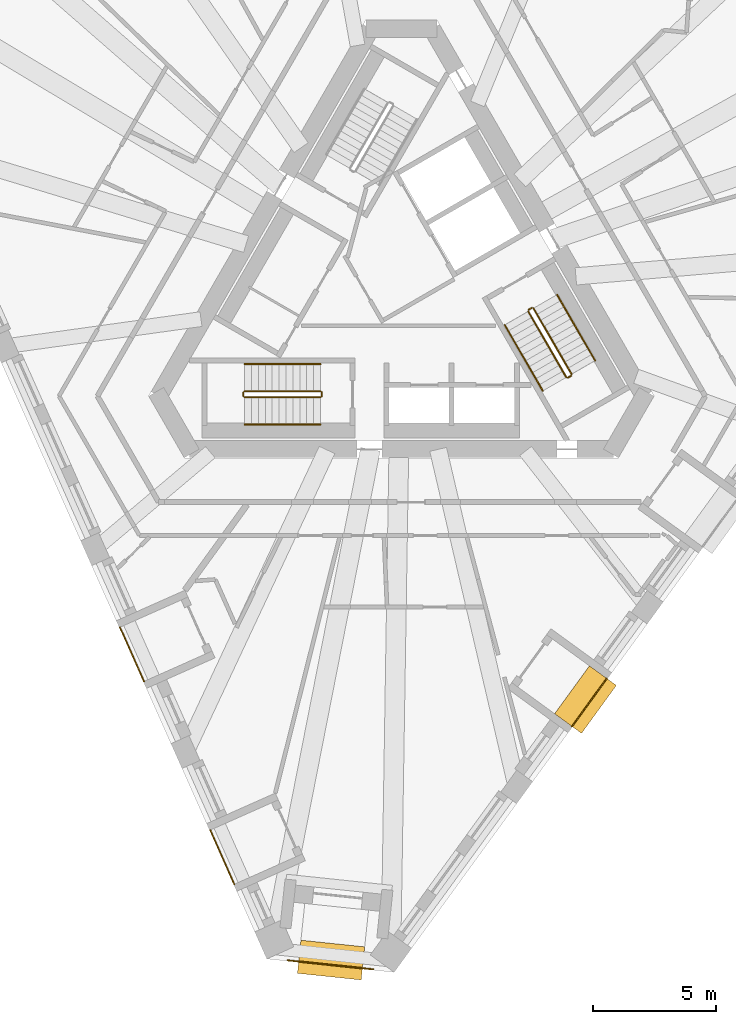
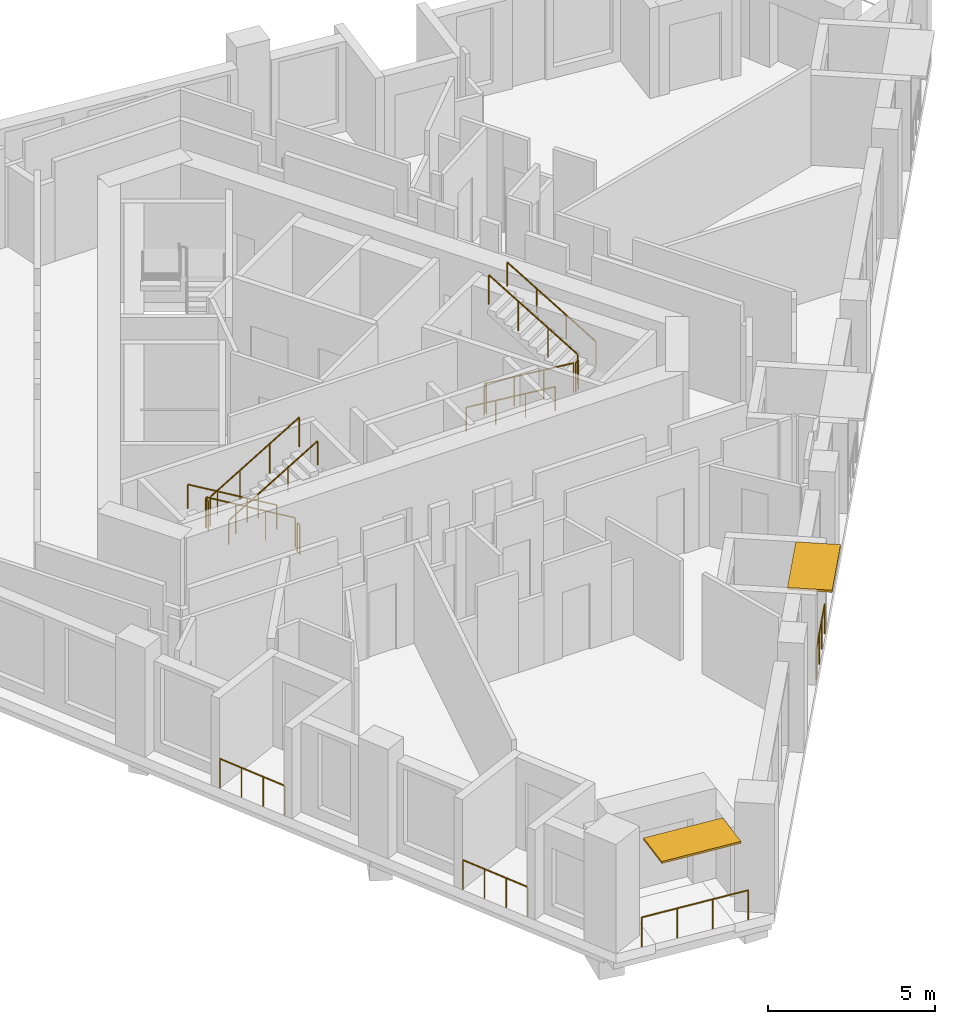
# One storey, part 9 of 11: 16 railings, 2 shading devices.
"""IFC4 building model written with IfcOpenShell, lengths in metres."""

from ifc_helpers import new_model, si_unit, direction, frame, origin, origin_2d, place, context, subcontext, project, spatial, rectangle, circle, extrude, material, layer, layer_set, type_object, element, save


model = new_model("IFC4")

# Units and contexts
model_context = context("Model", 3, precision=1e-05, world=origin(), true_north=direction((0.0, 1.0)))
body_context = subcontext(model_context, "Body", "Model", "MODEL_VIEW")
ifc_project = project(units=[si_unit("LENGTHUNIT", "METRE"), si_unit("AREAUNIT", "SQUARE_METRE"), si_unit("VOLUMEUNIT", "CUBIC_METRE"), si_unit("PLANEANGLEUNIT", "RADIAN"), si_unit("MASSUNIT", "GRAM", prefix="KILO")], contexts=[model_context])

# Site, building, storey
site_placement = place(None, origin())
site = spatial("IfcSite", under=ifc_project, at=site_placement, CompositionType="ELEMENT")
building_placement = place(site_placement, origin())
building = spatial("IfcBuilding", under=site, at=building_placement, Name="Tramontana Tower", CompositionType="ELEMENT")
storey_placement = place(building_placement, frame((0.0, 0.0, 253.199951171875)))
storey = spatial("IfcBuildingStorey", under=building, at=storey_placement, Name="L59", CompositionType="ELEMENT", Elevation=253.199951171875)

# Railings
ifc_material_1 = material(Name="Laminated glass balustrade", Category="glass")
railing_type_1 = type_object("IfcRailingType", Name="GD1 Loggia glass balustrade 1100", PredefinedType="BALUSTRADE", material=ifc_material_1)
for number, where, name in (
    (1, (-11.41455078125, -13.626220703125, 0.0), "Loggia balustrade L59 G6S0.10"),
    (2, (-7.751220703125, -21.854248046875, 0.0), "Loggia balustrade L59 G6S0.13"),
):
    element("IfcRailing", number, at=place(storey_placement, frame(where)), inside=storey, type_object=railing_type_1, Name=name, PredefinedType="BALUSTRADE", context=body_context, shape_type="SweptSolid", body=[
        extrude(circle(Radius=0.02392578125, at=origin_2d()), frame((0.0, 0.0, 1.076171875), z_axis=(0.406723017018, -0.913551524232, 0.0), x_axis=(0.913551524232, 0.406723017018, 0.0)), (0.0, 0.0, 1.0), 2.40234375),
        extrude(circle(Radius=0.02099609375, at=origin_2d()), origin(), (0.0, 0.0, 1.0), 1.052001953125),
        extrude(circle(Radius=0.02099609375, at=origin_2d()), frame((0.32568359375, -0.7314453125, 0.0)), (0.0, 0.0, 1.0), 1.052001953125),
        extrude(circle(Radius=0.02099609375, at=origin_2d()), frame((0.6513671875, -1.463134765625, 0.0)), (0.0, 0.0, 1.0), 1.052001953125),
        extrude(circle(Radius=0.02099609375, at=origin_2d()), frame((0.97705078125, -2.194580078125, 0.0)), (0.0, 0.0, 1.0), 1.052001953125),
    ])
railing_1_placement = place(storey_placement, frame((6.919921875, -17.645263671875, 0.0)))
element("IfcRailing", 3, at=railing_1_placement, inside=storey, type_object=railing_type_1, Name="Loggia balustrade L59 G6S1.4", PredefinedType="BALUSTRADE", context=body_context, shape_type="SweptSolid", body=[
    extrude(circle(Radius=0.02392578125, at=origin_2d()), frame((0.0, 0.0, 1.076171875), z_axis=(0.587784915375, 0.80901723916, 0.0), x_axis=(-0.80901723916, 0.587784915375, 0.0)), (0.0, 0.0, 1.0), 2.40234375),
    extrude(circle(Radius=0.02099609375, at=origin_2d()), origin(), (0.0, 0.0, 1.0), 1.052001953125),
    extrude(circle(Radius=0.02099609375, at=origin_2d()), frame((0.470703125, 0.64794921875, 0.0)), (0.0, 0.0, 1.0), 1.052001953125),
    extrude(circle(Radius=0.02099609375, at=origin_2d()), frame((0.94140625, 1.295654296875, 0.0)), (0.0, 0.0, 1.0), 1.052001953125),
    extrude(circle(Radius=0.02099609375, at=origin_2d()), frame((1.412109375, 1.943603515625, 0.0)), (0.0, 0.0, 1.0), 1.052001953125),
])
railing_2_placement = place(storey_placement, frame((-1.131103515625, -27.50244140625, 0.0)))
element("IfcRailing", 4, at=railing_2_placement, inside=storey, type_object=railing_type_1, Name="Corner loggia balustrade L59 K61", PredefinedType="BALUSTRADE", context=body_context, shape_type="SweptSolid", body=[
    extrude(circle(Radius=0.02392578125, at=origin_2d()), frame((0.0, 0.0, 1.076171875), z_axis=(-0.994518059202, 0.104564955513, 0.0), x_axis=(-0.104564955513, -0.994518059202, 0.0)), (0.0, 0.0, 1.0), 3.5),
    extrude(circle(Radius=0.02099609375, at=origin_2d()), origin(), (0.0, 0.0, 1.0), 1.052001953125),
    extrude(circle(Radius=0.02099609375, at=origin_2d()), frame((-1.16015625, 0.1220703125, 0.0)), (0.0, 0.0, 1.0), 1.052001953125),
    extrude(circle(Radius=0.02099609375, at=origin_2d()), frame((-2.320556640625, 0.243896484375, 0.0)), (0.0, 0.0, 1.0), 1.052001953125),
    extrude(circle(Radius=0.02099609375, at=origin_2d()), frame((-3.480712890625, 0.365966796875, 0.0)), (0.0, 0.0, 1.0), 1.052001953125),
])

# Shading devices
ifc_material_2 = material(Name="Precast concrete 60 MPa", Category="concrete")
ifc_layer_1 = layer(ifc_material_2, 0.070068359375)
ifc_layer_set_1 = layer_set([ifc_layer_1], Name="SS2 Stone sunshade blade 70")
shading_device_type_1 = type_object("IfcShadingDeviceType", Name="SS2 Stone sunshade blade 70", PredefinedType="USERDEFINED", material=ifc_layer_set_1)
shading_device_1_placement = place(storey_placement, frame((-2.85107421875, -27.12548828125, 3.22998046875), z_axis=(0.0, 0.0, 1.0), x_axis=(-0.994521895368, 0.104528463268, 0.0)))
element("IfcShadingDevice", 5, at=shading_device_1_placement, inside=storey, type_object=shading_device_type_1, Name="Corner sunshade L59 K61", ObjectType="SUNSHADE", PredefinedType="USERDEFINED", context=body_context, shape_type="SweptSolid", body=[
    extrude(rectangle(XDim=2.60009765625, YDim=1.35009765625, at=origin_2d()), origin(), (0.0, 0.0, 1.0), 0.070068359375),
])
ifc_material_3 = material(Name="Precast concrete 60 MPa", Category="concrete")
ifc_layer_2 = layer(ifc_material_3, 0.080078125)
ifc_layer_set_2 = layer_set([ifc_layer_2], Name="SS3 Stone sunshade blade 80")
shading_device_type_2 = type_object("IfcShadingDeviceType", Name="SS3 Stone sunshade blade 80", PredefinedType="USERDEFINED", material=ifc_layer_set_2)
shading_device_2_placement = place(storey_placement, frame((7.46826171875, -16.558837890625, 3.219970703125), z_axis=(0.0, 0.0, 1.0), x_axis=(0.587785252292, 0.809016994375, 0.0)))
element("IfcShadingDevice", 6, at=shading_device_2_placement, inside=storey, type_object=shading_device_type_2, Name="Sunshade L59 G6S1.4", ObjectType="SUNSHADE", PredefinedType="USERDEFINED", context=body_context, shape_type="SweptSolid", body=[
    extrude(rectangle(XDim=2.402099609375, YDim=1.35009765625, at=origin_2d()), origin(), (0.0, 0.0, 1.0), 0.080078125),
])

# Railings
ifc_material_4 = material(Name="Painted steel", Category="steel")
railing_type_2 = type_object("IfcRailingType", Name="STAIR GUARD 1100", PredefinedType="GUARDRAIL", material=ifc_material_4)
railing_3_placement = place(storey_placement, frame((-3.280029296875, -4.050048828125, 0.166748046875)))
element("IfcRailing", 7, at=railing_3_placement, inside=storey, type_object=railing_type_2, Name="L59 ST2 stair guard 1", PredefinedType="GUARDRAIL", context=body_context, shape_type="SweptSolid", body=[
    extrude(circle(Radius=0.02392578125, at=origin_2d()), frame((0.0, 0.0, 1.076171875), z_axis=(-0.859308565015, 0.0, 0.511457515432), x_axis=(0.0, -1.0, 0.0)), (0.0, 0.0, 1.0), 3.58447265625),
    extrude(circle(Radius=0.02099609375, at=origin_2d()), origin(), (0.0, 0.0, 1.0), 1.052001953125),
    extrude(circle(Radius=0.02099609375, at=origin_2d()), frame((-1.026611328125, 0.0, 0.611083984375)), (0.0, 0.0, 1.0), 1.052001953125),
    extrude(circle(Radius=0.02099609375, at=origin_2d()), frame((-2.053466796875, 0.0, 1.22216796875)), (0.0, 0.0, 1.0), 1.052001953125),
    extrude(circle(Radius=0.02099609375, at=origin_2d()), frame((-3.080078125, 0.0, 1.833251953125)), (0.0, 0.0, 1.0), 1.052001953125),
])
railing_4_placement = place(storey_placement, frame((-6.360107421875, -4.300048828125, 2.166748046875)))
element("IfcRailing", 8, at=railing_4_placement, inside=storey, type_object=railing_type_2, Name="L59 ST2 stair guard 2", PredefinedType="GUARDRAIL", context=body_context, shape_type="SweptSolid", body=[
    extrude(circle(Radius=0.02392578125, at=origin_2d()), frame((0.0, 0.0, 1.076171875), z_axis=(0.859308565015, 0.0, 0.511457515432), x_axis=(0.0, 1.0, 0.0)), (0.0, 0.0, 1.0), 3.58447265625),
    extrude(circle(Radius=0.02099609375, at=origin_2d()), origin(), (0.0, 0.0, 1.0), 1.052001953125),
    extrude(circle(Radius=0.02099609375, at=origin_2d()), frame((1.026611328125, 0.0, 0.611083984375)), (0.0, 0.0, 1.0), 1.052001953125),
    extrude(circle(Radius=0.02099609375, at=origin_2d()), frame((2.053466796875, 0.0, 1.22216796875)), (0.0, 0.0, 1.0), 1.052001953125),
    extrude(circle(Radius=0.02099609375, at=origin_2d()), frame((3.080078125, 0.0, 1.833251953125)), (0.0, 0.0, 1.0), 1.052001953125),
])
for number, where, name in (
    (9, (-6.409912109375, -4.10009765625, 2.0), "L59 ST2 stair guard 3"),
    (10, (-3.22998046875, -4.10009765625, 0.0), "L59 ST2 stair guard 4"),
):
    element("IfcRailing", number, at=place(storey_placement, frame(where)), inside=storey, type_object=railing_type_2, Name=name, PredefinedType="GUARDRAIL", context=body_context, shape_type="SweptSolid", body=[
        extrude(circle(Radius=0.02392578125, at=origin_2d()), frame((0.0, 0.0, 1.076171875), z_axis=(0.0, -1.0, 0.0), x_axis=(1.0, 0.0, 0.0)), (0.0, 0.0, 1.0), 0.14990234375),
        extrude(circle(Radius=0.02099609375, at=origin_2d()), origin(), (0.0, 0.0, 1.0), 1.052001953125),
        extrude(circle(Radius=0.02099609375, at=origin_2d()), frame((0.0, -0.14990234375, 0.0)), (0.0, 0.0, 1.0), 1.052001953125),
    ])
railing_5_placement = place(storey_placement, frame((5.1474609375, -0.815673828125, 0.166748046875)))
element("IfcRailing", 11, at=railing_5_placement, inside=storey, type_object=railing_type_2, Name="L59 ST3 stair guard 1", PredefinedType="GUARDRAIL", context=body_context, shape_type="SweptSolid", body=[
    extrude(circle(Radius=0.02392578125, at=origin_2d()), frame((0.0, 0.0, 1.076171875), z_axis=(0.429671193721, -0.744159446956, 0.511477646425), x_axis=(0.866010015463, 0.500026652407, 0.0)), (0.0, 0.0, 1.0), 3.584228515625),
    extrude(circle(Radius=0.02099609375, at=origin_2d()), origin(), (0.0, 0.0, 1.0), 1.052001953125),
    extrude(circle(Radius=0.02099609375, at=origin_2d()), frame((0.513427734375, -0.88916015625, 0.611083984375)), (0.0, 0.0, 1.0), 1.052001953125),
    extrude(circle(Radius=0.02099609375, at=origin_2d()), frame((1.026611328125, -1.778076171875, 1.22216796875)), (0.0, 0.0, 1.0), 1.052001953125),
    extrude(circle(Radius=0.02099609375, at=origin_2d()), frame((1.5400390625, -2.667236328125, 1.833251953125)), (0.0, 0.0, 1.0), 1.052001953125),
])
railing_6_placement = place(storey_placement, frame((6.90380859375, -3.35791015625, 2.166748046875)))
element("IfcRailing", 12, at=railing_6_placement, inside=storey, type_object=railing_type_2, Name="L59 ST3 stair guard 2", PredefinedType="GUARDRAIL", context=body_context, shape_type="SweptSolid", body=[
    extrude(circle(Radius=0.02392578125, at=origin_2d()), frame((0.0, 0.0, 1.076171875), z_axis=(-0.429615651263, 0.74418122563, 0.511492615401), x_axis=(-0.866044340336, -0.499967199496, 0.0)), (0.0, 0.0, 1.0), 3.584228515625),
    extrude(circle(Radius=0.02099609375, at=origin_2d()), origin(), (0.0, 0.0, 1.0), 1.052001953125),
    extrude(circle(Radius=0.02099609375, at=origin_2d()), frame((-0.51318359375, 0.88916015625, 0.611083984375)), (0.0, 0.0, 1.0), 1.052001953125),
    extrude(circle(Radius=0.02099609375, at=origin_2d()), frame((-1.026611328125, 1.778076171875, 1.22216796875)), (0.0, 0.0, 1.0), 1.052001953125),
    extrude(circle(Radius=0.02099609375, at=origin_2d()), frame((-1.539794921875, 2.667236328125, 1.833251953125)), (0.0, 0.0, 1.0), 1.052001953125),
])
for number, where, name in (
    (13, (6.755615234375, -3.501220703125, 2.0), "L59 ST3 stair guard 3"),
    (14, (5.165771484375, -0.747314453125, 0.0), "L59 ST3 stair guard 4"),
):
    element("IfcRailing", number, at=place(storey_placement, frame(where)), inside=storey, type_object=railing_type_2, Name=name, PredefinedType="GUARDRAIL", context=body_context, shape_type="SweptSolid", body=[
        extrude(circle(Radius=0.02392578125, at=origin_2d()), frame((0.0, 0.0, 1.076171875), z_axis=(0.866131372301, 0.499816412211, 0.0), x_axis=(-0.499816412211, 0.866131372301, 0.0)), (0.0, 0.0, 1.0), 0.14990234375),
        extrude(circle(Radius=0.02099609375, at=origin_2d()), origin(), (0.0, 0.0, 1.0), 1.052001953125),
        extrude(circle(Radius=0.02099609375, at=origin_2d()), frame((0.1298828125, 0.074951171875, 0.0)), (0.0, 0.0, 1.0), 1.052001953125),
    ])
ifc_material_5 = material(Name="Painted steel", Category="steel")
railing_type_3 = type_object("IfcRailingType", Name="STAIR HANDRAIL 900", PredefinedType="HANDRAIL", material=ifc_material_5)
railing_7_placement = place(storey_placement, frame((-3.280029296875, -2.949951171875, 0.166748046875)))
element("IfcRailing", 15, at=railing_7_placement, inside=storey, type_object=railing_type_3, Name="L59 ST2 stair handrail 1", PredefinedType="HANDRAIL", context=body_context, shape_type="SweptSolid", body=[
    extrude(circle(Radius=0.02392578125, at=origin_2d()), frame((0.0, 0.0, 0.8759765625), z_axis=(-0.859308565015, 0.0, 0.511457515432), x_axis=(0.0, -1.0, 0.0)), (0.0, 0.0, 1.0), 3.58447265625),
    extrude(circle(Radius=0.02099609375, at=origin_2d()), origin(), (0.0, 0.0, 1.0), 0.851806640625),
    extrude(circle(Radius=0.02099609375, at=origin_2d()), frame((-1.026611328125, 0.0, 0.611083984375)), (0.0, 0.0, 1.0), 0.851806640625),
    extrude(circle(Radius=0.02099609375, at=origin_2d()), frame((-2.053466796875, 0.0, 1.22216796875)), (0.0, 0.0, 1.0), 0.851806640625),
    extrude(circle(Radius=0.02099609375, at=origin_2d()), frame((-3.080078125, 0.0, 1.833251953125)), (0.0, 0.0, 1.0), 0.851806640625),
])
railing_8_placement = place(storey_placement, frame((-6.360107421875, -5.39990234375, 2.166748046875)))
element("IfcRailing", 16, at=railing_8_placement, inside=storey, type_object=railing_type_3, Name="L59 ST2 stair handrail 2", PredefinedType="HANDRAIL", context=body_context, shape_type="SweptSolid", body=[
    extrude(circle(Radius=0.02392578125, at=origin_2d()), frame((0.0, 0.0, 0.8759765625), z_axis=(0.859308565015, 0.0, 0.511457515432), x_axis=(0.0, 1.0, 0.0)), (0.0, 0.0, 1.0), 3.58447265625),
    extrude(circle(Radius=0.02099609375, at=origin_2d()), origin(), (0.0, 0.0, 1.0), 0.851806640625),
    extrude(circle(Radius=0.02099609375, at=origin_2d()), frame((1.026611328125, 0.0, 0.611083984375)), (0.0, 0.0, 1.0), 0.851806640625),
    extrude(circle(Radius=0.02099609375, at=origin_2d()), frame((2.053466796875, 0.0, 1.22216796875)), (0.0, 0.0, 1.0), 0.851806640625),
    extrude(circle(Radius=0.02099609375, at=origin_2d()), frame((3.080078125, 0.0, 1.833251953125)), (0.0, 0.0, 1.0), 0.851806640625),
])
railing_9_placement = place(storey_placement, frame((4.19482421875, -1.365478515625, 0.166748046875)))
element("IfcRailing", 17, at=railing_9_placement, inside=storey, type_object=railing_type_3, Name="L59 ST3 stair handrail 1", PredefinedType="HANDRAIL", context=body_context, shape_type="SweptSolid", body=[
    extrude(circle(Radius=0.02392578125, at=origin_2d()), frame((0.0, 0.0, 0.8759765625), z_axis=(0.429649414936, -0.744189839504, 0.511451721109), x_axis=(0.866029832698, 0.499992328818, 0.0)), (0.0, 0.0, 1.0), 3.58447265625),
    extrude(circle(Radius=0.02099609375, at=origin_2d()), origin(), (0.0, 0.0, 1.0), 0.851806640625),
    extrude(circle(Radius=0.02099609375, at=origin_2d()), frame((0.513427734375, -0.88916015625, 0.611083984375)), (0.0, 0.0, 1.0), 0.851806640625),
    extrude(circle(Radius=0.02099609375, at=origin_2d()), frame((1.026611328125, -1.7783203125, 1.22216796875)), (0.0, 0.0, 1.0), 0.851806640625),
    extrude(circle(Radius=0.02099609375, at=origin_2d()), frame((1.5400390625, -2.66748046875, 1.833251953125)), (0.0, 0.0, 1.0), 0.851806640625),
])
railing_10_placement = place(storey_placement, frame((7.8564453125, -2.807861328125, 2.166748046875)))
element("IfcRailing", 18, at=railing_10_placement, inside=storey, type_object=railing_type_3, Name="L59 ST3 stair handrail 2", PredefinedType="HANDRAIL", context=body_context, shape_type="SweptSolid", body=[
    extrude(circle(Radius=0.02392578125, at=origin_2d()), frame((0.0, 0.0, 0.8759765625), z_axis=(-0.429615651263, 0.74418122563, 0.511492615401), x_axis=(-0.866044340336, -0.499967199496, 0.0)), (0.0, 0.0, 1.0), 3.584228515625),
    extrude(circle(Radius=0.02099609375, at=origin_2d()), origin(), (0.0, 0.0, 1.0), 0.851806640625),
    extrude(circle(Radius=0.02099609375, at=origin_2d()), frame((-0.51318359375, 0.88916015625, 0.611083984375)), (0.0, 0.0, 1.0), 0.851806640625),
    extrude(circle(Radius=0.02099609375, at=origin_2d()), frame((-1.026611328125, 1.778076171875, 1.22216796875)), (0.0, 0.0, 1.0), 0.851806640625),
    extrude(circle(Radius=0.02099609375, at=origin_2d()), frame((-1.539794921875, 2.667236328125, 1.833251953125)), (0.0, 0.0, 1.0), 0.851806640625),
])

save(model, "model.ifc")
